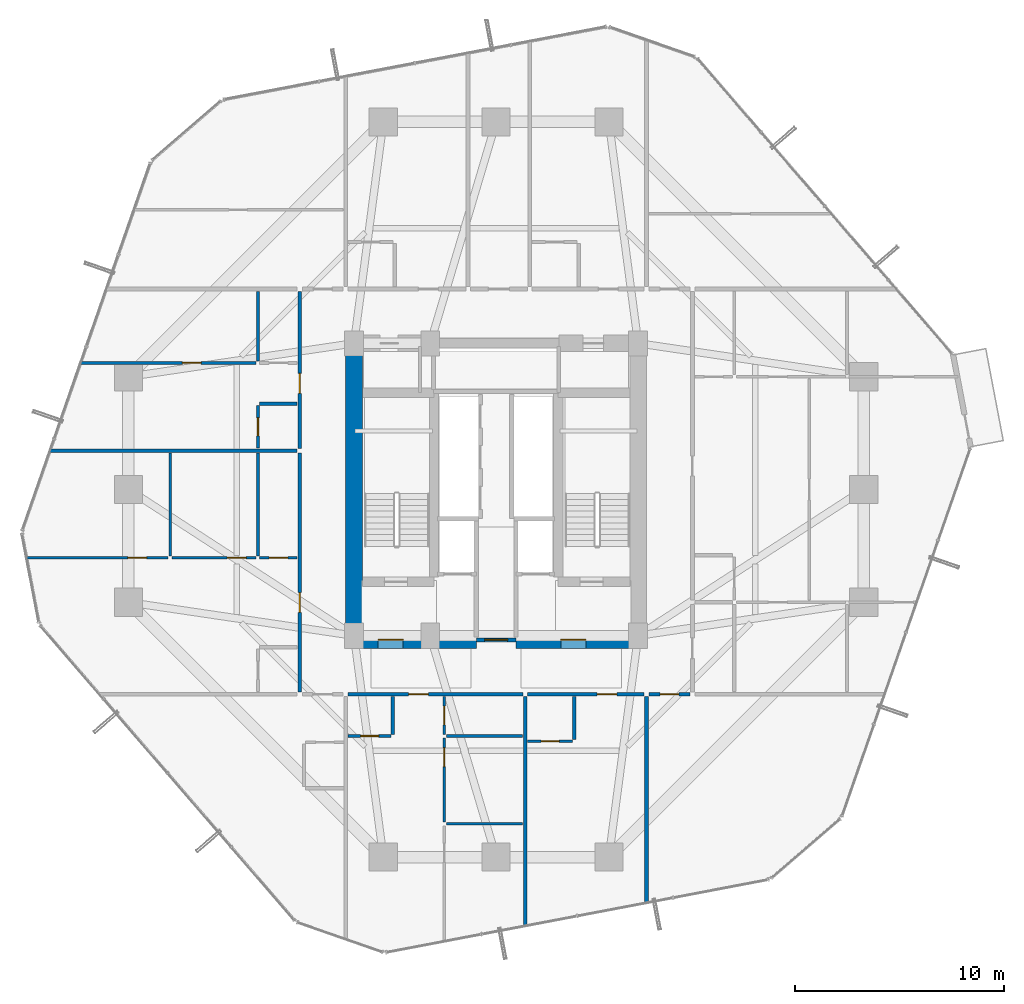
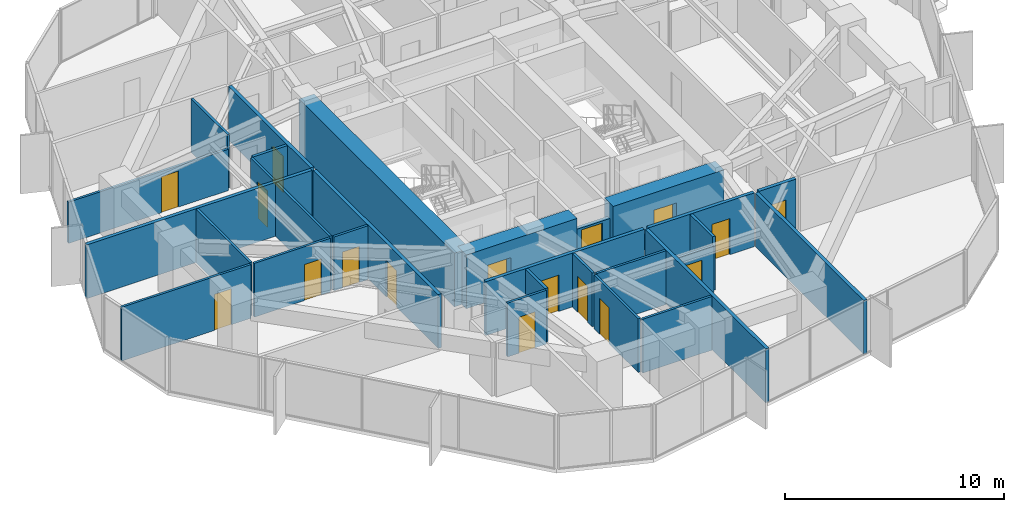
# One storey, part 33 of 38: 29 walls, 17 doors, 17 openings.
"""IFC4 building model written with IfcOpenShell, lengths in metres."""

from ifc_helpers import new_model, si_unit, direction, frame, frame_2d, origin, place, context, subcontext, project, spatial, rectangle, extrude, source, transform, mapped, material, layer, layer_set, type_object, element, fill, save


model = new_model("IFC4")

# Units and contexts
model_context = context("Model", 3, precision=1e-05, world=origin(), true_north=direction((0.0, 1.0)))
body_context = subcontext(model_context, "Body", "Model", "MODEL_VIEW")
ifc_project = project(units=[si_unit("LENGTHUNIT", "METRE"), si_unit("AREAUNIT", "SQUARE_METRE"), si_unit("VOLUMEUNIT", "CUBIC_METRE"), si_unit("PLANEANGLEUNIT", "RADIAN"), si_unit("MASSUNIT", "GRAM", prefix="KILO")], contexts=[model_context])

# Site, building, storey
site_placement = place(None, origin())
site = spatial("IfcSite", under=ifc_project, at=site_placement, CompositionType="ELEMENT")
building_placement = place(site_placement, origin())
building = spatial("IfcBuilding", under=site, at=building_placement, Name="Veraguas Prism Commons", CompositionType="ELEMENT")
storey_placement = place(building_placement, frame((0.0, 0.0, 60.85009765625)))
storey = spatial("IfcBuildingStorey", under=building, at=storey_placement, Name="L16", CompositionType="ELEMENT", Elevation=60.85009765625)

# Wall
ifc_material_1 = material(Name="Concrete C60/75", Category="concrete")
ifc_layer_1 = layer(ifc_material_1, 0.800048828125, Name="Core Outer Shear Wall Lower RC 800", Category="concrete")
ifc_layer_set_1 = layer_set([ifc_layer_1], Name="Concrete C60/75")
wall_type_1 = type_object("IfcWallType", Name="Core Outer Shear Wall Lower RC 800", PredefinedType="SHEAR", material=ifc_layer_set_1)
wall_1_placement = place(storey_placement, frame((17.199951171875, 16.800048828125, 0.0), z_axis=(0.0, 0.0, 1.0), x_axis=(0.0, 1.0, 0.0)))
element("IfcWall", 1, at=wall_1_placement, inside=storey, type_object=wall_type_1, Name="Central Core West Shear Wall L16", PredefinedType="SHEAR", context=body_context, shape_type="SweptSolid", body=[
    extrude(rectangle(XDim=14.199951171875, YDim=0.800048828125, at=frame_2d((7.10009765625, 0.0))), origin(), (0.0, 0.0, 1.0), 3.0),
])

# Wall, opening, door
wall_2_placement = place(storey_placement, frame((17.199951171875, 16.800048828125, 0.0), z_axis=(0.0, 0.0, 1.0), x_axis=(1.0, 0.0, 0.0)))
wall_2 = element("IfcWall", 2, at=wall_2_placement, inside=storey, type_object=wall_type_1, Name="Central Core South-West Shear Wall L16", PredefinedType="SHEAR", context=body_context, shape_type="SweptSolid", body=[
    extrude(rectangle(XDim=5.85009765625, YDim=0.800048828125, at=frame_2d((2.925048828125, 0.0))), origin(), (0.0, 0.0, 1.0), 3.0),
])
opening_1_placement = place(wall_2_placement, frame((1.14990234375, 0.0, 0.0)))
opening_1 = element("IfcOpeningElement", 3, at=opening_1_placement, cuts=wall_2, Name="Opening DR-06", PredefinedType="OPENING", context=body_context, shape_type="SweptSolid", body=[
    extrude(rectangle(XDim=1.199951171875, YDim=2.030029296875, at=frame_2d((0.60009765625, 1.01513671875))), frame((0.0, 0.409912109375, 0.0), z_axis=(0.0, -1.0, 0.0), x_axis=(1.0, 0.0, 0.0)), (0.0, 0.0, 1.0), 0.820068359375),
])
ifc_material_2 = material(Name="Steel fire-rated door assembly", Category="steel")
door_type_1 = type_object("IfcDoorType", Name="Firefighting Lobby Smoke Door 1200x2030", OperationType="NOTDEFINED", PredefinedType="DOOR", material=ifc_material_2)
shared_shape_1 = source(origin(), body_context, "Body", "SweptSolid", [
    extrude(rectangle(XDim=1.199951171875, YDim=2.030029296875, at=frame_2d((0.60009765625, 1.01513671875))), frame((0.0, 0.02490234375, 0.0), z_axis=(0.0, -1.0, 0.0), x_axis=(1.0, 0.0, 0.0)), (0.0, 0.0, 1.0), 0.050048828125),
])
door_1_placement = place(opening_1_placement, origin())
door_1 = element("IfcDoor", 4, at=door_1_placement, inside=storey, type_object=door_type_1, Name="West FF Lobby Door L16", OperationType="SINGLE_SWING_LEFT", OverallHeight=2.030029296875, OverallWidth=1.199951171875, PredefinedType="DOOR", context=body_context, shape_type="MappedRepresentation", body=[
    mapped(shared_shape_1, transform((0.0, 0.0, 0.0), scale=1.0)),
])
fill(opening_1, door_1)

wall_3_placement = place(storey_placement, frame((24.949951171875, 16.800048828125, 0.0), z_axis=(0.0, 0.0, 1.0), x_axis=(1.0, 0.0, 0.0)))
wall_3 = element("IfcWall", 5, at=wall_3_placement, inside=storey, type_object=wall_type_1, Name="Central Core South-East Shear Wall L16", PredefinedType="SHEAR", context=body_context, shape_type="SweptSolid", body=[
    extrude(rectangle(XDim=5.85009765625, YDim=0.800048828125, at=frame_2d((2.925048828125, 0.0))), origin(), (0.0, 0.0, 1.0), 3.0),
])
opening_2_placement = place(wall_3_placement, frame((2.14990234375, 0.0, 0.0)))
opening_2 = element("IfcOpeningElement", 6, at=opening_2_placement, cuts=wall_3, Name="Opening DR-06", PredefinedType="OPENING", context=body_context, shape_type="SweptSolid", body=[
    extrude(rectangle(XDim=1.199951171875, YDim=2.030029296875, at=frame_2d((0.60009765625, 1.01513671875))), frame((0.0, 0.409912109375, 0.0), z_axis=(0.0, -1.0, 0.0), x_axis=(1.0, 0.0, 0.0)), (0.0, 0.0, 1.0), 0.820068359375),
])
door_2_placement = place(opening_2_placement, origin())
door_2 = element("IfcDoor", 7, at=door_2_placement, inside=storey, type_object=door_type_1, Name="East FF Lobby Door L16", OperationType="SINGLE_SWING_LEFT", OverallHeight=2.030029296875, OverallWidth=1.199951171875, PredefinedType="DOOR", context=body_context, shape_type="MappedRepresentation", body=[
    mapped(shared_shape_1, transform((0.0, 0.0, 0.0), scale=1.0)),
])
fill(opening_2, door_2)

# Wall
ifc_material_3 = material(Name="Autoclaved aerated masonry block 10 MPa", Category="masonry")
ifc_layer_2 = layer(ifc_material_3, 0.179931640625, Name="Corridor and Inter-Tenancy Partition 180", Category="masonry")
ifc_layer_set_2 = layer_set([ifc_layer_2], Name="Autoclaved aerated masonry block 10 MPa")
wall_type_2 = type_object("IfcWallType", Name="Corridor and Inter-Tenancy Partition 180", PredefinedType="PARTITIONING", material=ifc_layer_set_2)
wall_4_placement = place(storey_placement, frame((31.199951171875, 14.080078125, 0.0), z_axis=(0.0, 0.0, 1.0), x_axis=(0.0, -1.0, 0.0)))
element("IfcWall", 8, at=wall_4_placement, inside=storey, type_object=wall_type_2, Name="WL-L16-PT002", PredefinedType="PARTITIONING", context=body_context, shape_type="SweptSolid", body=[
    extrude(rectangle(XDim=9.897705078125, YDim=0.179931640625, at=frame_2d((4.94873046875, 0.0))), origin(), (0.0, 0.0, 1.0), 3.0),
])

# Wall, opening, door
wall_5_placement = place(storey_placement, frame((16.909912109375, 14.199951171875, 0.0), z_axis=(0.0, 0.0, 1.0), x_axis=(1.0, 0.0, 0.0)))
wall_5 = element("IfcWall", 9, at=wall_5_placement, inside=storey, type_object=wall_type_2, Name="WL-L16-PT003", PredefinedType="PARTITIONING", context=body_context, shape_type="SweptSolid", body=[
    extrude(rectangle(XDim=8.3720703125, YDim=0.179931640625, at=frame_2d((4.18603515625, 0.0))), origin(), (0.0, 0.0, 1.0), 3.0),
])
opening_3_placement = place(wall_5_placement, frame((2.903076171875, 0.0, 0.0)))
opening_3 = element("IfcOpeningElement", 10, at=opening_3_placement, cuts=wall_5, Name="Opening DR-01", PredefinedType="OPENING", context=body_context, shape_type="SweptSolid", body=[
    extrude(rectangle(XDim=0.949951171875, YDim=2.02001953125, at=frame_2d((0.47509765625, 1.010009765625))), frame((0.0, 0.099853515625, 0.0), z_axis=(0.0, -1.0, 0.0), x_axis=(1.0, 0.0, 0.0)), (0.0, 0.0, 1.0), 0.199951171875),
])
ifc_material_4 = material(Name="Anodised aluminium EN AW-6063 T6", Category="aluminium")
door_type_2 = type_object("IfcDoorType", Name="Apartment Entrance Fire Door 950x2020", OperationType="NOTDEFINED", PredefinedType="DOOR", material=ifc_material_4)
shared_shape_2 = source(origin(), body_context, "Body", "SweptSolid", [
    extrude(rectangle(XDim=0.949951171875, YDim=2.02001953125, at=frame_2d((0.47509765625, 1.010009765625))), frame((0.0, 0.02490234375, 0.0), z_axis=(0.0, -1.0, 0.0), x_axis=(1.0, 0.0, 0.0)), (0.0, 0.0, 1.0), 0.050048828125),
])
door_3_placement = place(opening_3_placement, origin())
door_3 = element("IfcDoor", 11, at=door_3_placement, inside=storey, type_object=door_type_2, Name="Flat 16A Entrance Door", OperationType="SINGLE_SWING_RIGHT", OverallHeight=2.02001953125, OverallWidth=0.949951171875, PredefinedType="DOOR", context=body_context, shape_type="MappedRepresentation", body=[
    mapped(shared_shape_2, transform((0.0, 0.0, 0.0), scale=1.0)),
])
fill(opening_3, door_3)

# Wall
wall_6_placement = place(storey_placement, frame((25.39208984375, 14.080078125, 0.0), z_axis=(0.0, 0.0, 1.0), x_axis=(0.0, -1.0, 0.0)))
element("IfcWall", 12, at=wall_6_placement, inside=storey, type_object=wall_type_2, Name="WL-L16-PT011", PredefinedType="PARTITIONING", context=body_context, shape_type="SweptSolid", body=[
    extrude(rectangle(XDim=11.003662109375, YDim=0.179931640625, at=frame_2d((5.501953125, 0.0))), origin(), (0.0, 0.0, 1.0), 3.0),
])

# Wall, opening, door
wall_7_placement = place(storey_placement, frame((25.501953125, 14.199951171875, 0.0), z_axis=(0.0, 0.0, 1.0), x_axis=(1.0, 0.0, 0.0)))
wall_7 = element("IfcWall", 13, at=wall_7_placement, inside=storey, type_object=wall_type_2, Name="WL-L16-PT012", PredefinedType="PARTITIONING", context=body_context, shape_type="SweptSolid", body=[
    extrude(rectangle(XDim=5.588134765625, YDim=0.179931640625, at=frame_2d((2.7939453125, 0.0))), origin(), (0.0, 0.0, 1.0), 3.0),
])
opening_4_placement = place(wall_7_placement, frame((3.336181640625, 0.0, 0.0)))
opening_4 = element("IfcOpeningElement", 14, at=opening_4_placement, cuts=wall_7, Name="Opening DR-01", PredefinedType="OPENING", context=body_context, shape_type="SweptSolid", body=[
    extrude(rectangle(XDim=0.949951171875, YDim=2.02001953125, at=frame_2d((0.47509765625, 1.010009765625))), frame((0.0, 0.099853515625, 0.0), z_axis=(0.0, -1.0, 0.0), x_axis=(1.0, 0.0, 0.0)), (0.0, 0.0, 1.0), 0.199951171875),
])
door_4_placement = place(opening_4_placement, origin())
door_4 = element("IfcDoor", 15, at=door_4_placement, inside=storey, type_object=door_type_2, Name="Studio 16B Entrance Door", OperationType="SINGLE_SWING_LEFT", OverallHeight=2.02001953125, OverallWidth=0.949951171875, PredefinedType="DOOR", context=body_context, shape_type="MappedRepresentation", body=[
    mapped(shared_shape_2, transform((0.0, 0.0, 0.0), scale=1.0)),
])
fill(opening_4, door_4)

wall_8_placement = place(storey_placement, frame((14.60009765625, 14.31005859375, 0.0), z_axis=(0.0, 0.0, 1.0), x_axis=(0.0, 1.0, 0.0)))
wall_8 = element("IfcWall", 16, at=wall_8_placement, inside=storey, type_object=wall_type_2, Name="WL-L16-PT028", PredefinedType="PARTITIONING", context=body_context, shape_type="SweptSolid", body=[
    extrude(rectangle(XDim=11.43798828125, YDim=0.179931640625, at=frame_2d((5.718994140625, 0.0))), origin(), (0.0, 0.0, 1.0), 3.0),
])
opening_5_placement = place(wall_8_placement, frame((3.803955078125, 0.0, 0.0)))
opening_5 = element("IfcOpeningElement", 17, at=opening_5_placement, cuts=wall_8, Name="Opening DR-01", PredefinedType="OPENING", context=body_context, shape_type="SweptSolid", body=[
    extrude(rectangle(XDim=0.949951171875, YDim=2.02001953125, at=frame_2d((0.47509765625, 1.010009765625))), frame((0.0, 0.099853515625, 0.0), z_axis=(0.0, -1.0, 0.0), x_axis=(1.0, 0.0, 0.0)), (0.0, 0.0, 1.0), 0.199951171875),
])
door_5_placement = place(opening_5_placement, origin())
door_5 = element("IfcDoor", 18, at=door_5_placement, inside=storey, type_object=door_type_2, Name="Flat 16E Entrance Door", OperationType="SINGLE_SWING_RIGHT", OverallHeight=2.02001953125, OverallWidth=0.949951171875, PredefinedType="DOOR", context=body_context, shape_type="MappedRepresentation", body=[
    mapped(shared_shape_2, transform((0.0, 0.0, 0.0), scale=1.0)),
])
fill(opening_5, door_5)

# Wall
wall_9_placement = place(storey_placement, frame((14.47998046875, 25.85791015625, 0.0), z_axis=(0.0, 0.0, 1.0), x_axis=(-1.0, 0.0, 0.0)))
element("IfcWall", 19, at=wall_9_placement, inside=storey, type_object=wall_type_2, Name="WL-L16-PT036", PredefinedType="PARTITIONING", context=body_context, shape_type="SweptSolid", body=[
    extrude(rectangle(XDim=11.87548828125, YDim=0.179931640625, at=frame_2d((5.937744140625, 0.0))), origin(), (0.0, 0.0, 1.0), 3.0),
])

# Wall, opening, door
wall_10_placement = place(storey_placement, frame((14.60009765625, 25.968017578125, 0.0), z_axis=(0.0, 0.0, 1.0), x_axis=(0.0, 1.0, 0.0)))
wall_10 = element("IfcWall", 20, at=wall_10_placement, inside=storey, type_object=wall_type_2, Name="WL-L16-PT037", PredefinedType="PARTITIONING", context=body_context, shape_type="SweptSolid", body=[
    extrude(rectangle(XDim=7.52197265625, YDim=0.179931640625, at=frame_2d((3.760986328125, 0.0))), origin(), (0.0, 0.0, 1.0), 3.0),
])
opening_6_placement = place(wall_10_placement, frame((2.639892578125, 0.0, 0.0)))
opening_6 = element("IfcOpeningElement", 21, at=opening_6_placement, cuts=wall_10, Name="Opening DR-01", PredefinedType="OPENING", context=body_context, shape_type="SweptSolid", body=[
    extrude(rectangle(XDim=0.949951171875, YDim=2.02001953125, at=frame_2d((0.47509765625, 1.010009765625))), frame((0.0, 0.099853515625, 0.0), z_axis=(0.0, -1.0, 0.0), x_axis=(1.0, 0.0, 0.0)), (0.0, 0.0, 1.0), 0.199951171875),
])
door_6_placement = place(opening_6_placement, origin())
door_6 = element("IfcDoor", 22, at=door_6_placement, inside=storey, type_object=door_type_2, Name="Flat 16F Entrance Door", OperationType="SINGLE_SWING_LEFT", OverallHeight=2.02001953125, OverallWidth=0.949951171875, PredefinedType="DOOR", context=body_context, shape_type="MappedRepresentation", body=[
    mapped(shared_shape_2, transform((0.0, 0.0, 0.0), scale=1.0)),
])
fill(opening_6, door_6)

wall_11_placement = place(storey_placement, frame((31.320068359375, 14.199951171875, 0.0), z_axis=(0.0, 0.0, 1.0), x_axis=(1.0, 0.0, 0.0)))
wall_11 = element("IfcWall", 23, at=wall_11_placement, inside=storey, type_object=wall_type_2, Name="WL-L16-PT064", PredefinedType="PARTITIONING", context=body_context, shape_type="SweptSolid", body=[
    extrude(rectangle(XDim=1.9599609375, YDim=0.179931640625, at=frame_2d((0.97998046875, 0.0))), origin(), (0.0, 0.0, 1.0), 3.0),
])
opening_7_placement = place(wall_11_placement, frame((0.530029296875, 0.0, 0.0)))
opening_7 = element("IfcOpeningElement", 24, at=opening_7_placement, cuts=wall_11, Name="Opening DR-14", PredefinedType="OPENING", context=body_context, shape_type="SweptSolid", body=[
    extrude(rectangle(XDim=0.89990234375, YDim=2.010009765625, at=frame_2d((0.449951171875, 1.0048828125))), frame((0.0, 0.099853515625, 0.0), z_axis=(0.0, -1.0, 0.0), x_axis=(1.0, 0.0, 0.0)), (0.0, 0.0, 1.0), 0.199951171875),
])
door_type_3 = type_object("IfcDoorType", Name="Core Service Room Fire Door 900x2010", OperationType="NOTDEFINED", PredefinedType="DOOR", material=ifc_material_2)
shared_shape_3 = source(origin(), body_context, "Body", "SweptSolid", [
    extrude(rectangle(XDim=0.89990234375, YDim=2.010009765625, at=frame_2d((0.449951171875, 1.0048828125))), frame((0.0, 0.02490234375, 0.0), z_axis=(0.0, -1.0, 0.0), x_axis=(1.0, 0.0, 0.0)), (0.0, 0.0, 1.0), 0.050048828125),
])
door_7_placement = place(opening_7_placement, origin())
door_7 = element("IfcDoor", 25, at=door_7_placement, inside=storey, type_object=door_type_3, Name="Residents Corner Study Room SE Door", OperationType="SINGLE_SWING_RIGHT", OverallHeight=2.010009765625, OverallWidth=0.89990234375, PredefinedType="DOOR", context=body_context, shape_type="MappedRepresentation", body=[
    mapped(shared_shape_3, transform((0.0, 0.0, 0.0), scale=1.0)),
])
fill(opening_7, door_7)

ifc_material_5 = material(Name="Lightweight acoustic gypsum board")
ifc_layer_3 = layer(ifc_material_5, 0.125, Name="Internal Apartment Room Partition 125")
ifc_layer_set_3 = layer_set([ifc_layer_3], Name="Lightweight acoustic gypsum board")
wall_type_3 = type_object("IfcWallType", Name="Internal Apartment Room Partition 125", PredefinedType="PARTITIONING", material=ifc_layer_set_3)
wall_12_placement = place(storey_placement, frame((16.919921875, 12.199951171875, 0.0), z_axis=(0.0, 0.0, 1.0), x_axis=(1.0, 0.0, 0.0)))
wall_12 = element("IfcWall", 26, at=wall_12_placement, inside=storey, type_object=wall_type_3, Name="WL-L16-PT005", PredefinedType="PARTITIONING", context=body_context, shape_type="SweptSolid", body=[
    extrude(rectangle(XDim=2.050048828125, YDim=0.125, at=frame_2d((1.02490234375, 0.0))), origin(), (0.0, 0.0, 1.0), 3.0),
])
opening_8_placement = place(wall_12_placement, frame((0.594970703125, 0.0, 0.0)))
opening_8 = element("IfcOpeningElement", 27, at=opening_8_placement, cuts=wall_12, Name="Opening DR-03", PredefinedType="OPENING", context=body_context, shape_type="SweptSolid", body=[
    extrude(rectangle(XDim=0.860107421875, YDim=2.010009765625, at=frame_2d((0.43017578125, 1.0048828125))), frame((0.0, 0.072509765625, 0.0), z_axis=(0.0, -1.0, 0.0), x_axis=(1.0, 0.0, 0.0)), (0.0, 0.0, 1.0), 0.14501953125),
])
ifc_material_6 = material(Name="Timber moisture-resistant leaf", Category="wood")
door_type_4 = type_object("IfcDoorType", Name="Internal Bathroom Door 860x2010", OperationType="NOTDEFINED", PredefinedType="DOOR", material=ifc_material_6)
shared_shape_4 = source(origin(), body_context, "Body", "SweptSolid", [
    extrude(rectangle(XDim=0.860107421875, YDim=2.010009765625, at=frame_2d((0.43017578125, 1.0048828125))), frame((0.0, 0.02490234375, 0.0), z_axis=(0.0, -1.0, 0.0), x_axis=(1.0, 0.0, 0.0)), (0.0, 0.0, 1.0), 0.050048828125),
])
door_8_placement = place(opening_8_placement, origin())
door_8 = element("IfcDoor", 28, at=door_8_placement, inside=storey, type_object=door_type_4, Name="Flat 16A Bathroom Door", OperationType="SINGLE_SWING_LEFT", OverallHeight=2.010009765625, OverallWidth=0.860107421875, PredefinedType="DOOR", context=body_context, shape_type="MappedRepresentation", body=[
    mapped(shared_shape_4, transform((0.0, 0.0, 0.0), scale=1.0)),
])
fill(opening_8, door_8)

wall_13_placement = place(storey_placement, frame((21.52587890625, 14.080078125, 0.0), z_axis=(0.0, 0.0, 1.0), x_axis=(0.0, -1.0, 0.0)))
wall_13 = element("IfcWall", 29, at=wall_13_placement, inside=storey, type_object=wall_type_3, Name="WL-L16-PT006", PredefinedType="PARTITIONING", context=body_context, shape_type="SweptSolid", body=[
    extrude(rectangle(XDim=1.800048828125, YDim=0.125, at=frame_2d((0.89990234375, 0.0))), origin(), (0.0, 0.0, 1.0), 3.0),
])
opening_9_placement = place(wall_13_placement, frame((0.449951171875, 0.0, 0.0)))
opening_9 = element("IfcOpeningElement", 30, at=opening_9_placement, cuts=wall_13, Name="Opening DR-02", PredefinedType="OPENING", context=body_context, shape_type="SweptSolid", body=[
    extrude(rectangle(XDim=0.89990234375, YDim=2.010009765625, at=frame_2d((0.449951171875, 1.0048828125))), frame((0.0, 0.072509765625, 0.0), z_axis=(0.0, -1.0, 0.0), x_axis=(1.0, 0.0, 0.0)), (0.0, 0.0, 1.0), 0.14501953125),
])
ifc_material_7 = material(Name="Timber solid core hardwood", Category="wood")
door_type_5 = type_object("IfcDoorType", Name="Internal Habitable Room Door 900x2010", OperationType="NOTDEFINED", PredefinedType="DOOR", material=ifc_material_7)
door_9_placement = place(opening_9_placement, origin())
door_9 = element("IfcDoor", 31, at=door_9_placement, inside=storey, type_object=door_type_5, Name="Flat 16A Kitchen Door", OperationType="SINGLE_SWING_RIGHT", OverallHeight=2.010009765625, OverallWidth=0.89990234375, PredefinedType="DOOR", context=body_context, shape_type="MappedRepresentation", body=[
    mapped(shared_shape_3, transform((0.0, 0.0, 0.0), scale=1.0)),
])
fill(opening_9, door_9)

# Walls
for number, where, z_axis, x_axis, name in (
    (32, (21.6259765625, 12.199951171875, 0.0), (0.0, 0.0, 1.0), (1.0, 0.0, 0.0), "WL-L16-PT007"),
    (33, (21.6259765625, 8.0, 0.0), (0.0, 0.0, 1.0), (1.0, 0.0, 0.0), "WL-L16-PT008"),
):
    element("IfcWall", number, at=place(storey_placement, frame(where, z_axis=z_axis, x_axis=x_axis)), inside=storey, type_object=wall_type_3, Name=name, PredefinedType="PARTITIONING", context=body_context, shape_type="SweptSolid", body=[
        extrude(rectangle(XDim=3.64599609375, YDim=0.125, at=frame_2d((1.822998046875, 0.0))), origin(), (0.0, 0.0, 1.0), 3.0),
    ])

# Wall, opening, door
wall_14_placement = place(storey_placement, frame((21.52587890625, 12.10009765625, 0.0), z_axis=(0.0, 0.0, 1.0), x_axis=(0.0, -1.0, 0.0)))
wall_14 = element("IfcWall", 34, at=wall_14_placement, inside=storey, type_object=wall_type_3, Name="WL-L16-PT009", PredefinedType="PARTITIONING", context=body_context, shape_type="SweptSolid", body=[
    extrude(rectangle(XDim=4.02001953125, YDim=0.125, at=frame_2d((2.010009765625, 0.0))), origin(), (0.0, 0.0, 1.0), 3.0),
])
opening_10_placement = place(wall_14_placement, frame((0.471923828125, 0.0, 0.0)))
opening_10 = element("IfcOpeningElement", 35, at=opening_10_placement, cuts=wall_14, Name="Opening DR-02", PredefinedType="OPENING", context=body_context, shape_type="SweptSolid", body=[
    extrude(rectangle(XDim=0.89990234375, YDim=2.010009765625, at=frame_2d((0.449951171875, 1.0048828125))), frame((0.0, 0.072509765625, 0.0), z_axis=(0.0, -1.0, 0.0), x_axis=(1.0, 0.0, 0.0)), (0.0, 0.0, 1.0), 0.14501953125),
])
door_10_placement = place(opening_10_placement, origin())
door_10 = element("IfcDoor", 36, at=door_10_placement, inside=storey, type_object=door_type_5, Name="Flat 16A Bedroom 1 Door", OperationType="SINGLE_SWING_LEFT", OverallHeight=2.010009765625, OverallWidth=0.89990234375, PredefinedType="DOOR", context=body_context, shape_type="MappedRepresentation", body=[
    mapped(shared_shape_3, transform((0.0, 0.0, 0.0), scale=1.0)),
])
fill(opening_10, door_10)

wall_15_placement = place(storey_placement, frame((25.511962890625, 11.949951171875, 0.0), z_axis=(0.0, 0.0, 1.0), x_axis=(1.0, 0.0, 0.0)))
wall_15 = element("IfcWall", 37, at=wall_15_placement, inside=storey, type_object=wall_type_3, Name="WL-L16-PT014", PredefinedType="PARTITIONING", context=body_context, shape_type="SweptSolid", body=[
    extrude(rectangle(XDim=2.150146484375, YDim=0.125, at=frame_2d((1.0751953125, 0.0))), origin(), (0.0, 0.0, 1.0), 2.579833984375),
])
opening_11_placement = place(wall_15_placement, frame((0.64501953125, 0.0, 0.0)))
opening_11 = element("IfcOpeningElement", 38, at=opening_11_placement, cuts=wall_15, Name="Opening DR-03", PredefinedType="OPENING", context=body_context, shape_type="SweptSolid", body=[
    extrude(rectangle(XDim=0.860107421875, YDim=2.010009765625, at=frame_2d((0.43017578125, 1.0048828125))), frame((0.0, 0.072509765625, 0.0), z_axis=(0.0, -1.0, 0.0), x_axis=(1.0, 0.0, 0.0)), (0.0, 0.0, 1.0), 0.14501953125),
])
door_11_placement = place(opening_11_placement, origin())
door_11 = element("IfcDoor", 39, at=door_11_placement, inside=storey, type_object=door_type_4, Name="Studio 16B Bathroom Door", OperationType="SINGLE_SWING_RIGHT", OverallHeight=2.010009765625, OverallWidth=0.860107421875, PredefinedType="DOOR", context=body_context, shape_type="MappedRepresentation", body=[
    mapped(shared_shape_4, transform((0.0, 0.0, 0.0), scale=1.0)),
])
fill(opening_11, door_11)

wall_16_placement = place(storey_placement, frame((14.47998046875, 20.72802734375, 0.0), z_axis=(0.0, 0.0, 1.0), x_axis=(-1.0, 0.0, 0.0)))
wall_16 = element("IfcWall", 40, at=wall_16_placement, inside=storey, type_object=wall_type_3, Name="WL-L16-PT031", PredefinedType="PARTITIONING", context=body_context, shape_type="SweptSolid", body=[
    extrude(rectangle(XDim=1.800048828125, YDim=0.125, at=frame_2d((0.89990234375, 0.0))), origin(), (0.0, 0.0, 1.0), 3.0),
])
opening_12_placement = place(wall_16_placement, frame((0.449951171875, 0.0, 0.0)))
opening_12 = element("IfcOpeningElement", 41, at=opening_12_placement, cuts=wall_16, Name="Opening DR-02", PredefinedType="OPENING", context=body_context, shape_type="SweptSolid", body=[
    extrude(rectangle(XDim=0.89990234375, YDim=2.010009765625, at=frame_2d((0.449951171875, 1.0048828125))), frame((0.0, 0.072509765625, 0.0), z_axis=(0.0, -1.0, 0.0), x_axis=(1.0, 0.0, 0.0)), (0.0, 0.0, 1.0), 0.14501953125),
])
door_12_placement = place(opening_12_placement, origin())
door_12 = element("IfcDoor", 42, at=door_12_placement, inside=storey, type_object=door_type_5, Name="Flat 16E Kitchen Door", OperationType="SINGLE_SWING_RIGHT", OverallHeight=2.010009765625, OverallWidth=0.89990234375, PredefinedType="DOOR", context=body_context, shape_type="MappedRepresentation", body=[
    mapped(shared_shape_3, transform((0.0, 0.0, 0.0), scale=1.0)),
])
fill(opening_12, door_12)

# Walls
for number, where, z_axis, x_axis, name in (
    (43, (12.60009765625, 20.827880859375, 0.0), (0.0, 0.0, 1.0), (0.0, 1.0, 0.0), "WL-L16-PT032"),
    (44, (8.39990234375, 20.827880859375, 0.0), (0.0, 0.0, 1.0), (0.0, 1.0, 0.0), "WL-L16-PT033"),
):
    element("IfcWall", number, at=place(storey_placement, frame(where, z_axis=z_axis, x_axis=x_axis)), inside=storey, type_object=wall_type_3, Name=name, PredefinedType="PARTITIONING", context=body_context, shape_type="SweptSolid", body=[
        extrude(rectangle(XDim=4.91015625, YDim=0.125, at=frame_2d((2.455078125, 0.0))), origin(), (0.0, 0.0, 1.0), 3.0),
    ])

# Wall, opening, door
wall_17_placement = place(storey_placement, frame((12.5, 20.72802734375, 0.0), z_axis=(0.0, 0.0, 1.0), x_axis=(-1.0, 0.0, 0.0)))
wall_17 = element("IfcWall", 45, at=wall_17_placement, inside=storey, type_object=wall_type_3, Name="WL-L16-PT034", PredefinedType="PARTITIONING", context=body_context, shape_type="SweptSolid", body=[
    extrude(rectangle(XDim=4.02001953125, YDim=0.125, at=frame_2d((2.010009765625, 0.0))), origin(), (0.0, 0.0, 1.0), 3.0),
])
opening_13_placement = place(wall_17_placement, frame((0.471923828125, 0.0, 0.0)))
opening_13 = element("IfcOpeningElement", 46, at=opening_13_placement, cuts=wall_17, Name="Opening DR-02", PredefinedType="OPENING", context=body_context, shape_type="SweptSolid", body=[
    extrude(rectangle(XDim=0.89990234375, YDim=2.010009765625, at=frame_2d((0.449951171875, 1.0048828125))), frame((0.0, 0.072509765625, 0.0), z_axis=(0.0, -1.0, 0.0), x_axis=(1.0, 0.0, 0.0)), (0.0, 0.0, 1.0), 0.14501953125),
])
door_13_placement = place(opening_13_placement, origin())
door_13 = element("IfcDoor", 47, at=door_13_placement, inside=storey, type_object=door_type_5, Name="Flat 16E Bedroom 1 Door", OperationType="SINGLE_SWING_LEFT", OverallHeight=2.010009765625, OverallWidth=0.89990234375, PredefinedType="DOOR", context=body_context, shape_type="MappedRepresentation", body=[
    mapped(shared_shape_3, transform((0.0, 0.0, 0.0), scale=1.0)),
])
fill(opening_13, door_13)

wall_18_placement = place(storey_placement, frame((8.300048828125, 20.72802734375, 0.0), z_axis=(0.0, 0.0, 1.0), x_axis=(-1.0, 0.0, 0.0)))
wall_18 = element("IfcWall", 48, at=wall_18_placement, inside=storey, type_object=wall_type_3, Name="WL-L16-PT035", PredefinedType="PARTITIONING", context=body_context, shape_type="SweptSolid", body=[
    extrude(rectangle(XDim=6.81640625, YDim=0.125, at=frame_2d((3.408203125, 0.0))), origin(), (0.0, 0.0, 1.0), 3.0),
])
opening_14_placement = place(wall_18_placement, frame((1.02734375, 0.0, 0.0)))
opening_14 = element("IfcOpeningElement", 49, at=opening_14_placement, cuts=wall_18, Name="Opening DR-02", PredefinedType="OPENING", context=body_context, shape_type="SweptSolid", body=[
    extrude(rectangle(XDim=0.89990234375, YDim=2.010009765625, at=frame_2d((0.449951171875, 1.0048828125))), frame((0.0, 0.072509765625, 0.0), z_axis=(0.0, -1.0, 0.0), x_axis=(1.0, 0.0, 0.0)), (0.0, 0.0, 1.0), 0.14501953125),
])
door_14_placement = place(opening_14_placement, origin())
door_14 = element("IfcDoor", 50, at=door_14_placement, inside=storey, type_object=door_type_5, Name="Flat 16E Bedroom 2 Door", OperationType="SINGLE_SWING_RIGHT", OverallHeight=2.010009765625, OverallWidth=0.89990234375, PredefinedType="DOOR", context=body_context, shape_type="MappedRepresentation", body=[
    mapped(shared_shape_3, transform((0.0, 0.0, 0.0), scale=1.0)),
])
fill(opening_14, door_14)

wall_19_placement = place(storey_placement, frame((12.60009765625, 25.97802734375, 0.0), z_axis=(0.0, 0.0, 1.0), x_axis=(0.0, 1.0, 0.0)))
wall_19 = element("IfcWall", 51, at=wall_19_placement, inside=storey, type_object=wall_type_3, Name="WL-L16-PT039", PredefinedType="PARTITIONING", context=body_context, shape_type="SweptSolid", body=[
    extrude(rectangle(XDim=2.050048828125, YDim=0.125, at=frame_2d((1.02490234375, 0.0))), origin(), (0.0, 0.0, 1.0), 3.0),
])
opening_15_placement = place(wall_19_placement, frame((0.594970703125, 0.0, 0.0)))
opening_15 = element("IfcOpeningElement", 52, at=opening_15_placement, cuts=wall_19, Name="Opening DR-03", PredefinedType="OPENING", context=body_context, shape_type="SweptSolid", body=[
    extrude(rectangle(XDim=0.860107421875, YDim=2.010009765625, at=frame_2d((0.43017578125, 1.0048828125))), frame((0.0, 0.072509765625, 0.0), z_axis=(0.0, -1.0, 0.0), x_axis=(1.0, 0.0, 0.0)), (0.0, 0.0, 1.0), 0.14501953125),
])
door_15_placement = place(opening_15_placement, origin())
door_15 = element("IfcDoor", 53, at=door_15_placement, inside=storey, type_object=door_type_4, Name="Flat 16F Bathroom Door", OperationType="SINGLE_SWING_RIGHT", OverallHeight=2.010009765625, OverallWidth=0.860107421875, PredefinedType="DOOR", context=body_context, shape_type="MappedRepresentation", body=[
    mapped(shared_shape_4, transform((0.0, 0.0, 0.0), scale=1.0)),
])
fill(opening_15, door_15)

# Wall
wall_20_placement = place(storey_placement, frame((12.60009765625, 30.157958984375, 0.0), z_axis=(0.0, 0.0, 1.0), x_axis=(0.0, 1.0, 0.0)))
element("IfcWall", 54, at=wall_20_placement, inside=storey, type_object=wall_type_3, Name="WL-L16-PT041", PredefinedType="PARTITIONING", context=body_context, shape_type="SweptSolid", body=[
    extrude(rectangle(XDim=3.322021484375, YDim=0.125, at=frame_2d((1.6611328125, 0.0))), origin(), (0.0, 0.0, 1.0), 3.0),
])

# Wall, opening, door
wall_21_placement = place(storey_placement, frame((12.5, 30.05810546875, 0.0), z_axis=(0.0, 0.0, 1.0), x_axis=(-1.0, 0.0, 0.0)))
wall_21 = element("IfcWall", 55, at=wall_21_placement, inside=storey, type_object=wall_type_3, Name="WL-L16-PT042", PredefinedType="PARTITIONING", context=body_context, shape_type="SweptSolid", body=[
    extrude(rectangle(XDim=8.431396484375, YDim=0.125, at=frame_2d((4.2158203125, 0.0))), origin(), (0.0, 0.0, 1.0), 2.298828125),
])
opening_16_placement = place(wall_21_placement, frame((2.62451171875, 0.0, 0.0)))
opening_16 = element("IfcOpeningElement", 56, at=opening_16_placement, cuts=wall_21, Name="Opening DR-02", PredefinedType="OPENING", context=body_context, shape_type="SweptSolid", body=[
    extrude(rectangle(XDim=0.89990234375, YDim=2.010009765625, at=frame_2d((0.449951171875, 1.0048828125))), frame((0.0, 0.072509765625, 0.0), z_axis=(0.0, -1.0, 0.0), x_axis=(1.0, 0.0, 0.0)), (0.0, 0.0, 1.0), 0.14501953125),
])
door_16_placement = place(opening_16_placement, origin())
door_16 = element("IfcDoor", 57, at=door_16_placement, inside=storey, type_object=door_type_5, Name="Flat 16F Bedroom 1 Door", OperationType="SINGLE_SWING_RIGHT", OverallHeight=2.010009765625, OverallWidth=0.89990234375, PredefinedType="DOOR", context=body_context, shape_type="MappedRepresentation", body=[
    mapped(shared_shape_3, transform((0.0, 0.0, 0.0), scale=1.0)),
])
fill(opening_16, door_16)

ifc_layer_4 = layer(ifc_material_3, 0.199951171875, Name="Rated Shaft and Lobby Block Wall 200", Category="masonry")
ifc_layer_set_4 = layer_set([ifc_layer_4], Name="Autoclaved aerated masonry block 10 MPa")
wall_type_4 = type_object("IfcWallType", Name="Rated Shaft and Lobby Block Wall 200", PredefinedType="SOLIDWALL", material=ifc_layer_set_4)
wall_22_placement = place(storey_placement, frame((23.050048828125, 16.800048828125, 0.0), z_axis=(0.0, 0.0, 1.0), x_axis=(1.0, 0.0, 0.0)))
wall_22 = element("IfcWall", 58, at=wall_22_placement, inside=storey, type_object=wall_type_4, Name="Central Core Lobby Entrance Wall L16", PredefinedType="SOLIDWALL", context=body_context, shape_type="SweptSolid", body=[
    extrude(rectangle(XDim=1.89990234375, YDim=0.199951171875, at=frame_2d((0.949951171875, 0.0))), origin(), (0.0, 0.0, 1.0), 2.14990234375),
])
opening_17_placement = place(wall_22_placement, frame((0.39990234375, 0.0, 0.0)))
opening_17 = element("IfcOpeningElement", 59, at=opening_17_placement, cuts=wall_22, Name="Opening DR-05", PredefinedType="OPENING", context=body_context, shape_type="SweptSolid", body=[
    extrude(rectangle(XDim=1.10009765625, YDim=2.030029296875, at=frame_2d((0.550048828125, 1.01513671875))), frame((0.0, 0.10986328125, 0.0), z_axis=(0.0, -1.0, 0.0), x_axis=(1.0, 0.0, 0.0)), (0.0, 0.0, 1.0), 0.219970703125),
])
door_type_6 = type_object("IfcDoorType", Name="Protected Stair and Refuge Fire Door 1100x2030", OperationType="NOTDEFINED", PredefinedType="DOOR", material=ifc_material_2)
shared_shape_5 = source(origin(), body_context, "Body", "SweptSolid", [
    extrude(rectangle(XDim=1.10009765625, YDim=2.030029296875, at=frame_2d((0.550048828125, 1.01513671875))), frame((0.0, 0.02490234375, 0.0), z_axis=(0.0, -1.0, 0.0), x_axis=(1.0, 0.0, 0.0)), (0.0, 0.0, 1.0), 0.050048828125),
])
door_17_placement = place(opening_17_placement, origin())
door_17 = element("IfcDoor", 60, at=door_17_placement, inside=storey, type_object=door_type_6, Name="Central Lobby Door L16", OperationType="SINGLE_SWING_RIGHT", OverallHeight=2.030029296875, OverallWidth=1.10009765625, PredefinedType="DOOR", context=body_context, shape_type="MappedRepresentation", body=[
    mapped(shared_shape_5, transform((0.0, 0.0, 0.0), scale=1.0)),
])
fill(opening_17, door_17)

# Walls
ifc_layer_5 = layer(ifc_material_5, 0.14990234375, Name="Wet Room and Clinic Acoustic Partition 150")
ifc_layer_set_5 = layer_set([ifc_layer_5], Name="Lightweight acoustic gypsum board")
wall_type_5 = type_object("IfcWallType", Name="Wet Room and Clinic Acoustic Partition 150", PredefinedType="PARTITIONING", material=ifc_layer_set_5)
wall_23_placement = place(storey_placement, frame((19.050048828125, 14.080078125, 0.0), z_axis=(0.0, 0.0, 1.0), x_axis=(0.0, -1.0, 0.0)))
element("IfcWall", 61, at=wall_23_placement, inside=storey, type_object=wall_type_5, Name="WL-L16-PT004", PredefinedType="PARTITIONING", context=body_context, shape_type="SweptSolid", body=[
    extrude(rectangle(XDim=1.800048828125, YDim=0.14990234375, at=frame_2d((0.89990234375, 0.0))), origin(), (0.0, 0.0, 1.0), 3.0),
])
wall_24_placement = place(storey_placement, frame((27.741943359375, 14.080078125, 0.0), z_axis=(0.0, 0.0, 1.0), x_axis=(0.0, -1.0, 0.0)))
element("IfcWall", 62, at=wall_24_placement, inside=storey, type_object=wall_type_5, Name="WL-L16-PT013", PredefinedType="PARTITIONING", context=body_context, shape_type="SweptSolid", body=[
    extrude(rectangle(XDim=2.050048828125, YDim=0.14990234375, at=frame_2d((1.02490234375, 0.0))), origin(), (0.0, 0.0, 1.0), 3.0),
])
wall_25_placement = place(storey_placement, frame((14.47998046875, 28.10791015625, 0.0), z_axis=(0.0, 0.0, 1.0), x_axis=(-1.0, 0.0, 0.0)))
element("IfcWall", 63, at=wall_25_placement, inside=storey, type_object=wall_type_5, Name="WL-L16-PT038", PredefinedType="PARTITIONING", context=body_context, shape_type="SweptSolid", body=[
    extrude(rectangle(XDim=1.800048828125, YDim=0.14990234375, at=frame_2d((0.89990234375, 0.0))), origin(), (0.0, 0.0, 1.0), 3.0),
])

save(model, "model.ifc")
